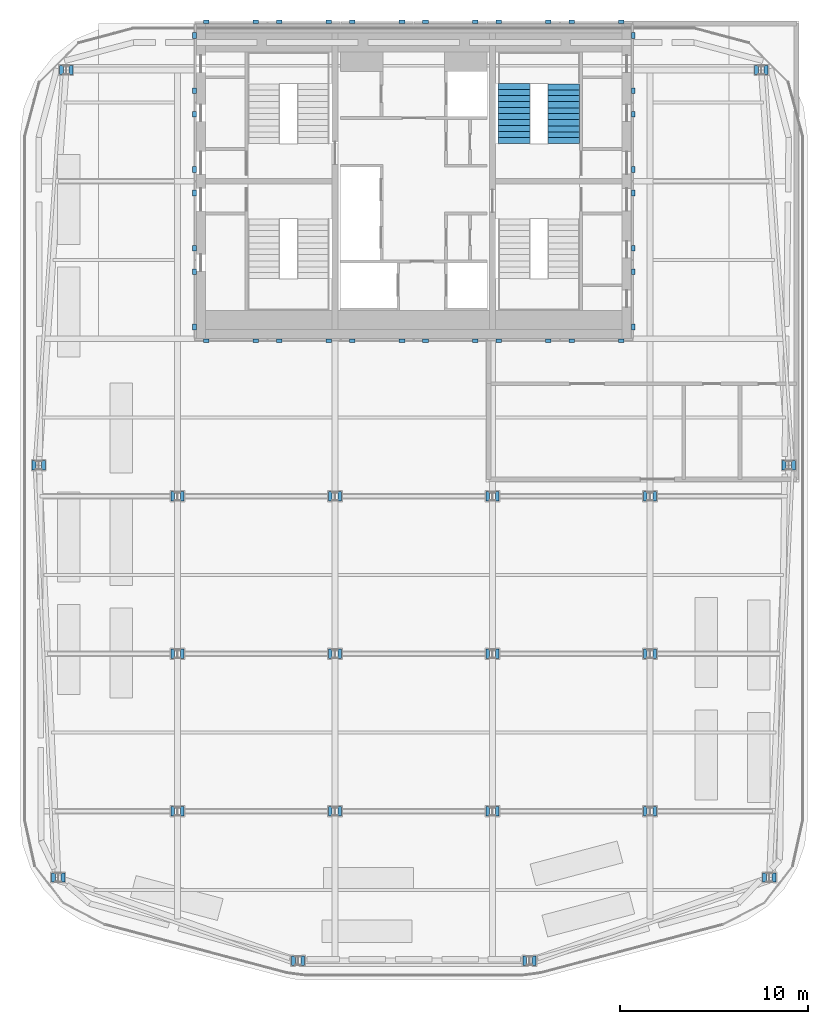
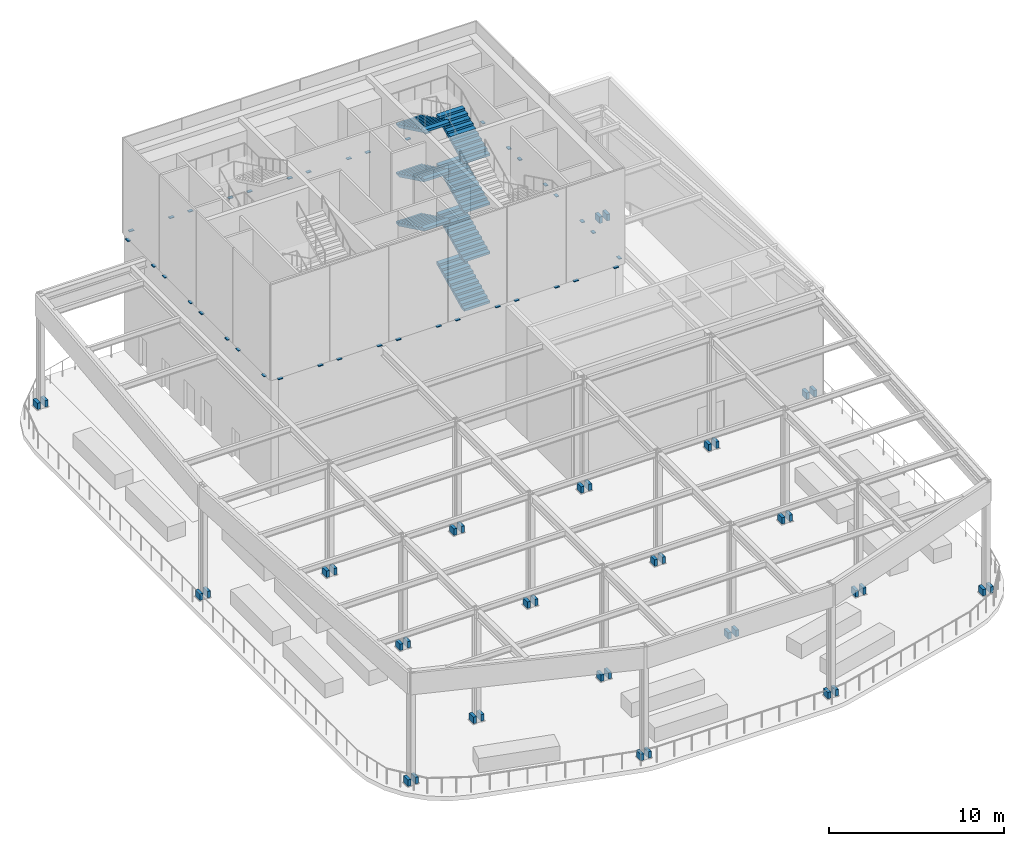
# One storey, part 9 of 14: 80 discrete accessories, 7 stair flights, 1 element without a shape of its own.
"""IFC4 building model written with IfcOpenShell, lengths in metres."""

import ifcopenshell
import ifcopenshell.guid

model = None  # the IFC model being written
_history = None  # IfcOwnerHistory: only IFC2X3 demands one
_inside = {}  # id of a spatial element -> (the spatial element, [elements in it])
_under = {}  # id of a project, library or spatial element -> (it, [spatial elements below it])
_declared = {}  # id of a project -> (the project, [libraries it declares])
_typed = {}  # id of a type object -> (the type object, [elements of that type])
_made_of = {}  # id of a material, layer set ... -> (it, [elements and type objects made of it])


def new_model(schema):
    """Start an empty IFC model of exactly this schema.

    Asked for "IFC4X3", IfcOpenShell would pick the latest addendum, in which some entities
    have other attributes; the version numbers below select the first issue.
    IFC2X3 requires an IfcOwnerHistory on every rooted entity: one is made here for all.
    """
    global model, _history
    if schema == "IFC4X3":
        model = ifcopenshell.file(schema_version=(4, 3, 0, 0))
    else:
        model = ifcopenshell.file(schema=schema)
    _inside.clear()
    _under.clear()
    _declared.clear()
    _typed.clear()
    _made_of.clear()
    _history = None
    if model.schema == "IFC2X3":
        org = make("IfcOrganization", Name="unknown")
        user = make(
            "IfcPersonAndOrganization",
            ThePerson=make("IfcPerson", FamilyName="unknown"),
            TheOrganization=org,
        )
        app = make(
            "IfcApplication",
            ApplicationDeveloper=org,
            Version="unknown",
            ApplicationFullName="unknown",
            ApplicationIdentifier="unknown",
        )
        _history = make(
            "IfcOwnerHistory",
            OwningUser=user,
            OwningApplication=app,
            ChangeAction="ADDED",
            CreationDate=0,
        )
    return model


def make(cls, **values):
    """One entity of the class cls with the attributes given. An attribute that is None is left unset."""
    return model.create_entity(
        cls, **{name: value for name, value in values.items() if value is not None}
    )


def rooted(cls, **values):
    """An entity with a GlobalId (a new one), such as an element, a storey or a relation."""
    return make(cls, GlobalId=ifcopenshell.guid.new(), OwnerHistory=_history, **values)


def si_unit(unit_type, name, prefix=None):
    """IfcSIUnit, for example si_unit("LENGTHUNIT", "METRE", prefix="MILLI")."""
    return make("IfcSIUnit", UnitType=unit_type, Prefix=prefix, Name=name)


def assignment(units):
    """IfcUnitAssignment: the units of a project."""
    return None if units is None else make("IfcUnitAssignment", Units=units)


def point(xyz):
    """IfcCartesianPoint."""
    return None if xyz is None else make("IfcCartesianPoint", Coordinates=xyz)


def direction(xyz):
    """IfcDirection."""
    return None if xyz is None else make("IfcDirection", DirectionRatios=xyz)


def frame(location, z_axis=None, x_axis=None):
    """IfcAxis2Placement3D, a coordinate frame: its origin and axes. An axis left out is left unset."""
    return make(
        "IfcAxis2Placement3D",
        Location=point(location),
        Axis=direction(z_axis),
        RefDirection=direction(x_axis),
    )


def frame_2d(location, x_axis=None):
    """IfcAxis2Placement2D, a coordinate frame in the plane: its origin and x axis."""
    return make(
        "IfcAxis2Placement2D", Location=point(location), RefDirection=direction(x_axis)
    )


def origin():
    """The frame at (0, 0, 0) with its axes left unset."""
    return frame((0.0, 0.0, 0.0))


def origin_2d():
    """The frame at (0, 0) in the plane with its x axis left unset."""
    return frame_2d((0.0, 0.0))


def place(relative_to, where):
    """IfcLocalPlacement: puts the frame where relative to a parent placement (None: the world)."""
    return make(
        "IfcLocalPlacement", PlacementRelTo=relative_to, RelativePlacement=where
    )


def context(
    kind, dimensions, precision=None, world=None, true_north=None, identifier=None
):
    """IfcGeometricRepresentationContext, for example the 3D "Model" context."""
    return make(
        "IfcGeometricRepresentationContext",
        ContextIdentifier=identifier,
        ContextType=kind,
        CoordinateSpaceDimension=dimensions,
        Precision=precision,
        WorldCoordinateSystem=world,
        TrueNorth=true_north,
    )


def subcontext(parent, identifier, kind, view, scale=None):
    """IfcGeometricRepresentationSubContext, for example "Body" below "Model"."""
    return make(
        "IfcGeometricRepresentationSubContext",
        ContextIdentifier=identifier,
        ContextType=kind,
        ParentContext=parent,
        TargetScale=scale,
        TargetView=view,
    )


def project(units=None, contexts=None):
    """IfcProject with its units and contexts."""
    return rooted(
        "IfcProject",
        Name="project",
        RepresentationContexts=contexts,
        UnitsInContext=assignment(units),
    )


def spatial(cls, under=None, at=None, **own):
    """A site, building, storey or space (cls), placed at a placement, below another one or the project."""
    s = rooted(cls, ObjectPlacement=at, **own)
    if under is not None:
        _under.setdefault(under.id(), (under, []))[1].append(s)
    return s


def polyline(points):
    """IfcPolyline through the points."""
    return make("IfcPolyline", Points=[point(p) for p in points])


def profile(cls, at=None, kind="AREA", **sizes):
    """A parametric profile (cls). Its sizes go by their IFC names, for example OverallWidth=200.0."""
    return make(cls, ProfileType=kind, Position=at, **sizes)


def rectangle(**sizes):
    """IfcRectangleProfileDef."""
    return profile("IfcRectangleProfileDef", **sizes)


def outline(outer, holes=None, kind="AREA"):
    """IfcArbitraryClosedProfileDef: a profile drawn as a closed curve; with holes, ...WithVoids."""
    if holes is None:
        return make("IfcArbitraryClosedProfileDef", ProfileType=kind, OuterCurve=outer)
    return make(
        "IfcArbitraryProfileDefWithVoids",
        ProfileType=kind,
        OuterCurve=outer,
        InnerCurves=holes,
    )


def extrude(swept, where, along, depth):
    """IfcExtrudedAreaSolid: the profile swept, set in the frame where, extruded along a direction by depth."""
    return make(
        "IfcExtrudedAreaSolid",
        SweptArea=swept,
        Position=where,
        ExtrudedDirection=direction(along),
        Depth=depth,
    )


def shape(context_of_items, identifier, shape_type, items):
    """IfcShapeRepresentation: the items that make up one representation, for example the "Body"."""
    return make(
        "IfcShapeRepresentation",
        ContextOfItems=context_of_items,
        RepresentationIdentifier=identifier,
        RepresentationType=shape_type,
        Items=items,
    )


def material(Name=None, Category=None):
    """IfcMaterial."""
    return make("IfcMaterial", Name=Name, Category=Category)


def layer(
    of_material, thickness, ventilated=None, Name=None, Category=None, Priority=None
):
    """IfcMaterialLayer: one layer of a wall or slab, of a material (None: an air gap)."""
    return make(
        "IfcMaterialLayer",
        Material=of_material,
        LayerThickness=thickness,
        IsVentilated=ventilated,
        Name=Name,
        Category=Category,
        Priority=Priority,
    )


def layer_set(layers, Name=None):
    """IfcMaterialLayerSet."""
    return make("IfcMaterialLayerSet", MaterialLayers=layers, LayerSetName=Name)


def made_of(thing, what):
    """Note that an element or type object is made of a material, layer set ...; save() writes the relation."""
    if what is not None:
        _made_of.setdefault(what.id(), (what, []))[1].append(thing)
    return thing


def type_object(cls, material=None, **own):
    """A type object (cls), such as IfcWallType, which elements share."""
    return made_of(rooted(cls, **own), material)


def element(
    cls,
    number,
    at=None,
    inside=None,
    cuts=None,
    type_object=None,
    material=None,
    context=None,
    identifier="Body",
    shape_type=None,
    held_by="IfcProductDefinitionShape",
    body=None,
    shapes=None,
    **own,
):
    """One element of the class cls, such as IfcWall. Its Tag is "e" and its number.

    at: its placement. inside: the storey or other place that contains it. cuts: it is an
    opening in that element (IfcRelVoidsElement). A single representation is given by context,
    identifier, shape_type and body (its items); several are given by shapes. held_by: the class
    of the entity that holds the representations. save() writes the other relations.
    """
    e = rooted(cls, Tag="e%d" % number, ObjectPlacement=at, **own)
    if body is not None:
        shapes = [shape(context, identifier, shape_type, body)]
    if shapes is not None:
        e.Representation = make(held_by, Representations=shapes)
    if inside is not None:
        _inside.setdefault(inside.id(), (inside, []))[1].append(e)
    if cuts is not None:
        rooted(
            "IfcRelVoidsElement", RelatingBuildingElement=cuts, RelatedOpeningElement=e
        )
    if type_object is not None:
        _typed.setdefault(type_object.id(), (type_object, []))[1].append(e)
    return made_of(e, material)


def aggregate(whole, parts):
    """IfcRelAggregates: a whole, such as a stair, and the parts it consists of."""
    return rooted("IfcRelAggregates", RelatingObject=whole, RelatedObjects=parts)


def save(model, path):
    """Write the relations noted so far, then the file.

    IfcRelAggregates (storeys below a building ...), IfcRelContainedInSpatialStructure (elements
    in a storey), IfcRelDefinesByType, IfcRelAssociatesMaterial and IfcRelDeclares: one each for
    every whole, place, type object, material and project.
    """
    for whole, parts in _under.values():
        aggregate(whole, parts)
    for where, things in _inside.values():
        rooted(
            "IfcRelContainedInSpatialStructure",
            RelatedElements=things,
            RelatingStructure=where,
        )
    for kind, things in _typed.values():
        rooted("IfcRelDefinesByType", RelatedObjects=things, RelatingType=kind)
    for what, things in _made_of.values():
        rooted("IfcRelAssociatesMaterial", RelatedObjects=things, RelatingMaterial=what)
    for by, libraries in _declared.values():
        rooted("IfcRelDeclares", RelatingContext=by, RelatedDefinitions=libraries)
    model.write(path)


model = new_model("IFC4")

# Units and contexts
model_context = context("Model", 3, precision=1e-05, world=origin(), true_north=direction((0.0, 1.0)))
body_context = subcontext(model_context, "Body", "Model", "MODEL_VIEW")
ifc_project = project(units=[si_unit("LENGTHUNIT", "METRE"), si_unit("AREAUNIT", "SQUARE_METRE"), si_unit("VOLUMEUNIT", "CUBIC_METRE"), si_unit("PLANEANGLEUNIT", "RADIAN"), si_unit("MASSUNIT", "GRAM", prefix="KILO")], contexts=[model_context])

# Site, building, storey
site_placement = place(None, origin())
site = spatial("IfcSite", under=ifc_project, at=site_placement, CompositionType="ELEMENT")
building_placement = place(site_placement, origin())
building = spatial("IfcBuilding", under=site, at=building_placement, Name="Marenta Gate Hotel Tower", CompositionType="ELEMENT")
storey_placement = place(building_placement, frame((0.0, 0.0, 295.699951171875)))
storey = spatial("IfcBuildingStorey", under=building, at=storey_placement, Name="L67", CompositionType="ELEMENT", Elevation=295.699951171875)

# Stair, stair flights
ifc_material_1 = material(Name="Concrete C40", Category="concrete")
stair_type = type_object("IfcStairType", Name="Core exit stair 1700 wide", PredefinedType="HALF_TURN_STAIR", material=ifc_material_1)
stair_placement = place(storey_placement, origin())
stair = element("IfcStair", 1, at=stair_placement, inside=storey, type_object=stair_type, Name="Exit stair 4", PredefinedType="HALF_TURN_STAIR")
ifc_material_2 = material(Name="Concrete C40", Category="concrete")
stair_flight_type = type_object("IfcStairFlightType", Name="Core stair flight 1700 riser 155.7 going 320", PredefinedType="STRAIGHT", material=ifc_material_2)
stair_flight_1_placement = place(storey_placement, frame((8.0, 10.39990234375, 0.0), z_axis=(0.0, 0.0, 1.0), x_axis=(0.0, 1.0, 0.0)))
stair_flight_1 = element("IfcStairFlight", 2, at=stair_flight_1_placement, type_object=stair_flight_type, Name="ST4 flight 1", NumberOfRisers=11, NumberOfTreads=10, PredefinedType="STRAIGHT", RiserHeight=0.155682, TreadLength=0.32, context=body_context, shape_type="SweptSolid", body=[
    extrude(outline(polyline([(0.0, 0.0), (0.0, 0.15576171875), (0.320068359375, 0.15576171875), (0.320068359375, 0.311279296875), (0.639892578125, 0.311279296875), (0.639892578125, 0.467041015625), (0.9599609375, 0.467041015625), (0.9599609375, 0.622802734375), (1.280029296875, 0.622802734375), (1.280029296875, 0.7783203125), (1.60009765625, 0.7783203125), (1.60009765625, 0.93408203125), (1.919921875, 0.93408203125), (1.919921875, 1.08984375), (2.239990234375, 1.08984375), (2.239990234375, 1.245361328125), (2.56005859375, 1.245361328125), (2.56005859375, 1.401123046875), (2.8798828125, 1.401123046875), (2.8798828125, 1.556884765625), (3.199951171875, 1.556884765625), (3.199951171875, 1.71240234375), (3.199951171875, 1.39013671875), (0.342529296875, 0.0), (0.0, 0.0)])), frame((0.0, 0.85009765625, 0.0), z_axis=(0.0, -1.0, 0.0), x_axis=(1.0, 0.0, 0.0)), (0.0, 0.0, 1.0), 1.699951171875),
])
stair_flight_2_placement = place(storey_placement, frame((8.0, 10.39990234375, 3.425048828125), z_axis=(0.0, 0.0, 1.0), x_axis=(0.0, 1.0, 0.0)))
stair_flight_2 = element("IfcStairFlight", 3, at=stair_flight_2_placement, type_object=stair_flight_type, Name="ST4 flight 3", NumberOfRisers=11, NumberOfTreads=10, PredefinedType="STRAIGHT", RiserHeight=0.155682, TreadLength=0.32, context=body_context, shape_type="SweptSolid", body=[
    extrude(outline(polyline([(0.0, 0.0), (0.0, 0.15576171875), (0.320068359375, 0.15576171875), (0.320068359375, 0.311279296875), (0.639892578125, 0.311279296875), (0.639892578125, 0.467041015625), (0.9599609375, 0.467041015625), (0.9599609375, 0.622802734375), (1.280029296875, 0.622802734375), (1.280029296875, 0.7783203125), (1.60009765625, 0.7783203125), (1.60009765625, 0.93408203125), (1.919921875, 0.93408203125), (1.919921875, 1.08984375), (2.239990234375, 1.08984375), (2.239990234375, 1.245361328125), (2.56005859375, 1.245361328125), (2.56005859375, 1.401123046875), (2.8798828125, 1.401123046875), (2.8798828125, 1.556884765625), (3.199951171875, 1.556884765625), (3.199951171875, 1.71240234375), (3.199951171875, 1.39013671875), (0.342529296875, 0.0), (0.0, 0.0)])), frame((0.0, 0.85009765625, 0.0), z_axis=(0.0, -1.0, 0.0), x_axis=(1.0, 0.0, 0.0)), (0.0, 0.0, 1.0), 1.699951171875),
])
stair_flight_3_placement = place(storey_placement, frame((5.35009765625, 13.60009765625, 5.137451171875), z_axis=(0.0, 0.0, 1.0), x_axis=(0.0, -1.0, 0.0)))
stair_flight_3 = element("IfcStairFlight", 4, at=stair_flight_3_placement, type_object=stair_flight_type, Name="ST4 flight 4", NumberOfRisers=11, NumberOfTreads=10, PredefinedType="STRAIGHT", RiserHeight=0.155682, TreadLength=0.32, context=body_context, shape_type="SweptSolid", body=[
    extrude(outline(polyline([(0.0, 0.0), (0.0, 0.15576171875), (0.320068359375, 0.15576171875), (0.320068359375, 0.311279296875), (0.639892578125, 0.311279296875), (0.639892578125, 0.467041015625), (0.9599609375, 0.467041015625), (0.9599609375, 0.622802734375), (1.280029296875, 0.622802734375), (1.280029296875, 0.7783203125), (1.60009765625, 0.7783203125), (1.60009765625, 0.93408203125), (1.919921875, 0.93408203125), (1.919921875, 1.08984375), (2.239990234375, 1.08984375), (2.239990234375, 1.245361328125), (2.56005859375, 1.245361328125), (2.56005859375, 1.401123046875), (2.8798828125, 1.401123046875), (2.8798828125, 1.556884765625), (3.199951171875, 1.556884765625), (3.199951171875, 1.71240234375), (3.199951171875, 1.39013671875), (0.342529296875, 0.0), (0.0, 0.0)])), frame((0.0, 0.85009765625, 0.0), z_axis=(0.0, -1.0, 0.0), x_axis=(1.0, 0.0, 0.0)), (0.0, 0.0, 1.0), 1.699951171875),
])
stair_flight_4_placement = place(storey_placement, frame((8.0, 10.39990234375, 6.85009765625), z_axis=(0.0, 0.0, 1.0), x_axis=(0.0, 1.0, 0.0)))
stair_flight_4 = element("IfcStairFlight", 5, at=stair_flight_4_placement, type_object=stair_flight_type, Name="ST4 flight 5", NumberOfRisers=11, NumberOfTreads=10, PredefinedType="STRAIGHT", RiserHeight=0.155682, TreadLength=0.32, context=body_context, shape_type="SweptSolid", body=[
    extrude(outline(polyline([(0.0, 0.0), (0.0, 0.15576171875), (0.320068359375, 0.15576171875), (0.320068359375, 0.311279296875), (0.639892578125, 0.311279296875), (0.639892578125, 0.467041015625), (0.9599609375, 0.467041015625), (0.9599609375, 0.622802734375), (1.280029296875, 0.622802734375), (1.280029296875, 0.7783203125), (1.60009765625, 0.7783203125), (1.60009765625, 0.93408203125), (1.919921875, 0.93408203125), (1.919921875, 1.08984375), (2.239990234375, 1.08984375), (2.239990234375, 1.245361328125), (2.56005859375, 1.245361328125), (2.56005859375, 1.401123046875), (2.8798828125, 1.401123046875), (2.8798828125, 1.556884765625), (3.199951171875, 1.556884765625), (3.199951171875, 1.71240234375), (3.199951171875, 1.39013671875), (0.342529296875, 0.0), (0.0, 0.0)])), frame((0.0, 0.85009765625, 0.0), z_axis=(0.0, -1.0, 0.0), x_axis=(1.0, 0.0, 0.0)), (0.0, 0.0, 1.0), 1.699951171875),
])
stair_flight_5_placement = place(storey_placement, frame((5.35009765625, 13.60009765625, 8.5625), z_axis=(0.0, 0.0, 1.0), x_axis=(0.0, -1.0, 0.0)))
stair_flight_5 = element("IfcStairFlight", 6, at=stair_flight_5_placement, type_object=stair_flight_type, Name="ST4 flight 6", NumberOfRisers=11, NumberOfTreads=10, PredefinedType="STRAIGHT", RiserHeight=0.155682, TreadLength=0.32, context=body_context, shape_type="SweptSolid", body=[
    extrude(outline(polyline([(0.0, 0.0), (0.0, 0.15576171875), (0.320068359375, 0.15576171875), (0.320068359375, 0.311279296875), (0.639892578125, 0.311279296875), (0.639892578125, 0.467041015625), (0.9599609375, 0.467041015625), (0.9599609375, 0.622802734375), (1.280029296875, 0.622802734375), (1.280029296875, 0.7783203125), (1.60009765625, 0.7783203125), (1.60009765625, 0.93408203125), (1.919921875, 0.93408203125), (1.919921875, 1.08984375), (2.239990234375, 1.08984375), (2.239990234375, 1.245361328125), (2.56005859375, 1.245361328125), (2.56005859375, 1.401123046875), (2.8798828125, 1.401123046875), (2.8798828125, 1.556884765625), (3.199951171875, 1.556884765625), (3.199951171875, 1.71240234375), (3.199951171875, 1.39013671875), (0.342529296875, 0.0), (0.0, 0.0)])), frame((0.0, 0.85009765625, 0.0), z_axis=(0.0, -1.0, 0.0), x_axis=(1.0, 0.0, 0.0)), (0.0, 0.0, 1.0), 1.699951171875),
])
stair_flight_6_placement = place(storey_placement, frame((8.0, 10.39990234375, 10.275146484375), z_axis=(0.0, 0.0, 1.0), x_axis=(0.0, 1.0, 0.0)))
stair_flight_6 = element("IfcStairFlight", 7, at=stair_flight_6_placement, type_object=stair_flight_type, Name="ST4 flight 7", NumberOfRisers=11, NumberOfTreads=10, PredefinedType="STRAIGHT", RiserHeight=0.155682, TreadLength=0.32, context=body_context, shape_type="SweptSolid", body=[
    extrude(outline(polyline([(0.0, 0.0), (0.0, 0.15576171875), (0.320068359375, 0.15576171875), (0.320068359375, 0.311279296875), (0.639892578125, 0.311279296875), (0.639892578125, 0.467041015625), (0.9599609375, 0.467041015625), (0.9599609375, 0.622802734375), (1.280029296875, 0.622802734375), (1.280029296875, 0.7783203125), (1.60009765625, 0.7783203125), (1.60009765625, 0.93408203125), (1.919921875, 0.93408203125), (1.919921875, 1.08984375), (2.239990234375, 1.08984375), (2.239990234375, 1.245361328125), (2.56005859375, 1.245361328125), (2.56005859375, 1.401123046875), (2.8798828125, 1.401123046875), (2.8798828125, 1.556884765625), (3.199951171875, 1.556884765625), (3.199951171875, 1.71240234375), (3.199951171875, 1.39013671875), (0.342529296875, 0.0), (0.0, 0.0)])), frame((0.0, 0.85009765625, 0.0), z_axis=(0.0, -1.0, 0.0), x_axis=(1.0, 0.0, 0.0)), (0.0, 0.0, 1.0), 1.699951171875),
])
stair_flight_7_placement = place(storey_placement, frame((5.35009765625, 13.60009765625, 11.987548828125), z_axis=(0.0, 0.0, 1.0), x_axis=(0.0, -1.0, 0.0)))
stair_flight_7 = element("IfcStairFlight", 8, at=stair_flight_7_placement, type_object=stair_flight_type, Name="ST4 flight 8", NumberOfRisers=11, NumberOfTreads=10, PredefinedType="STRAIGHT", RiserHeight=0.155682, TreadLength=0.32, context=body_context, shape_type="SweptSolid", body=[
    extrude(outline(polyline([(0.0, 0.0), (0.0, 0.15576171875), (0.320068359375, 0.15576171875), (0.320068359375, 0.311279296875), (0.639892578125, 0.311279296875), (0.639892578125, 0.467041015625), (0.9599609375, 0.467041015625), (0.9599609375, 0.622802734375), (1.280029296875, 0.622802734375), (1.280029296875, 0.7783203125), (1.60009765625, 0.7783203125), (1.60009765625, 0.93408203125), (1.919921875, 0.93408203125), (1.919921875, 1.08984375), (2.239990234375, 1.08984375), (2.239990234375, 1.245361328125), (2.56005859375, 1.245361328125), (2.56005859375, 1.401123046875), (2.8798828125, 1.401123046875), (2.8798828125, 1.556884765625), (3.199951171875, 1.556884765625), (3.199951171875, 1.71240234375), (3.199951171875, 1.39013671875), (0.342529296875, 0.0), (0.0, 0.0)])), frame((0.0, 0.85009765625, 0.0), z_axis=(0.0, -1.0, 0.0), x_axis=(1.0, 0.0, 0.0)), (0.0, 0.0, 1.0), 1.699951171875),
])
aggregate(stair, [stair_flight_1, stair_flight_2, stair_flight_3, stair_flight_4, stair_flight_5, stair_flight_6, stair_flight_7])

# Discrete accessories
ifc_material_3 = material(Name="Steel S355J2W", Category="steel")
ifc_layer_1 = layer(ifc_material_3, 0.02001953125)
ifc_layer_set_1 = layer_set([ifc_layer_1], Name="Steel S355J2W")
discrete_accessory_type_1 = type_object("IfcDiscreteAccessoryType", Name="Column base gusset bracket 20 mm", PredefinedType="BRACKET", material=ifc_layer_set_1)
for number, where, z_axis, x_axis, name in (
    (9, (-6.416259765625, -33.1748046875, 0.02490234375), (0.0, 0.0, 1.0), (1.0, 0.0, 0.0), "GB1 Column base gusset bracket"),
    (10, (-5.916259765625, -33.1748046875, 0.02490234375), (0.0, 0.0, 1.0), (1.0, 0.0, 0.0), "GB1 Column base gusset bracket"),
    (11, (5.916259765625, -33.1748046875, 0.02490234375), (0.0, 0.0, 1.0), (1.0, 0.0, 0.0), "GB1 Column base gusset bracket"),
    (12, (6.416259765625, -33.1748046875, 0.02490234375), (0.0, 0.0, 1.0), (1.0, 0.0, 0.0), "GB1 Column base gusset bracket"),
    (13, (18.712890625, -28.73291015625, 0.02490234375), (0.0, 0.0, 1.0), (1.0, 0.0, 0.0), "GB1 Column base gusset bracket"),
    (14, (19.212890625, -28.73291015625, 0.02490234375), (0.0, 0.0, 1.0), (1.0, 0.0, 0.0), "GB1 Column base gusset bracket"),
    (15, (19.75, -6.75, 0.02490234375), (0.0, 0.0, 1.0), (1.0, 0.0, 0.0), "GB1 Column base gusset bracket"),
    (16, (20.25, -6.75, 0.02490234375), (0.0, 0.0, 1.0), (1.0, 0.0, 0.0), "GB1 Column base gusset bracket"),
    (17, (18.285400390625, 14.33544921875, 0.02490234375), (0.0, 0.0, 1.0), (1.0, 0.0, 0.0), "GB1 Column base gusset bracket"),
    (18, (18.785400390625, 14.33544921875, 0.02490234375), (0.0, 0.0, 1.0), (1.0, 0.0, 0.0), "GB1 Column base gusset bracket"),
    (19, (-18.785400390625, 14.33544921875, 0.02490234375), (0.0, 0.0, 1.0), (1.0, 0.0, 0.0), "GB1 Column base gusset bracket"),
    (20, (-18.285400390625, 14.33544921875, 0.02490234375), (0.0, 0.0, 1.0), (1.0, 0.0, 0.0), "GB1 Column base gusset bracket"),
    (21, (-20.25, -6.75, 0.02490234375), (0.0, 0.0, 1.0), (1.0, 0.0, 0.0), "GB1 Column base gusset bracket"),
    (22, (-19.75, -6.75, 0.02490234375), (0.0, 0.0, 1.0), (1.0, 0.0, 0.0), "GB1 Column base gusset bracket"),
    (23, (-19.212890625, -28.73291015625, 0.02490234375), (0.0, 0.0, 1.0), (1.0, 0.0, 0.0), "GB1 Column base gusset bracket"),
    (24, (-18.712890625, -28.73291015625, 0.02490234375), (0.0, 0.0, 1.0), (1.0, 0.0, 0.0), "GB1 Column base gusset bracket"),
    (25, (-12.85009765625, -25.199951171875, 0.02490234375), (0.0, 0.0, 1.0), (1.0, 0.0, 0.0), "GB1 Column base gusset bracket"),
    (26, (-12.35009765625, -25.199951171875, 0.02490234375), (0.0, 0.0, 1.0), (1.0, 0.0, 0.0), "GB1 Column base gusset bracket"),
    (27, (-12.85009765625, -16.800048828125, 0.02490234375), (0.0, 0.0, 1.0), (1.0, 0.0, 0.0), "GB1 Column base gusset bracket"),
    (28, (-12.35009765625, -16.800048828125, 0.02490234375), (0.0, 0.0, 1.0), (1.0, 0.0, 0.0), "GB1 Column base gusset bracket"),
    (29, (-12.85009765625, -8.39990234375, 0.02490234375), (0.0, 0.0, 1.0), (1.0, 0.0, 0.0), "GB1 Column base gusset bracket"),
    (30, (-12.35009765625, -8.39990234375, 0.02490234375), (0.0, 0.0, 1.0), (1.0, 0.0, 0.0), "GB1 Column base gusset bracket"),
    (31, (-4.449951171875, -25.199951171875, 0.02490234375), (0.0, 0.0, 1.0), (1.0, 0.0, 0.0), "GB1 Column base gusset bracket"),
    (32, (-3.949951171875, -25.199951171875, 0.02490234375), (0.0, 0.0, 1.0), (1.0, 0.0, 0.0), "GB1 Column base gusset bracket"),
    (33, (-4.449951171875, -16.800048828125, 0.02490234375), (0.0, 0.0, 1.0), (1.0, 0.0, 0.0), "GB1 Column base gusset bracket"),
    (34, (-3.949951171875, -16.800048828125, 0.02490234375), (0.0, 0.0, 1.0), (1.0, 0.0, 0.0), "GB1 Column base gusset bracket"),
    (35, (-4.449951171875, -8.39990234375, 0.02490234375), (0.0, 0.0, 1.0), (1.0, 0.0, 0.0), "GB1 Column base gusset bracket"),
    (36, (-3.949951171875, -8.39990234375, 0.02490234375), (0.0, 0.0, 1.0), (1.0, 0.0, 0.0), "GB1 Column base gusset bracket"),
    (37, (3.949951171875, -25.199951171875, 0.02490234375), (0.0, 0.0, 1.0), (1.0, 0.0, 0.0), "GB1 Column base gusset bracket"),
    (38, (4.449951171875, -25.199951171875, 0.02490234375), (0.0, 0.0, 1.0), (1.0, 0.0, 0.0), "GB1 Column base gusset bracket"),
    (39, (3.949951171875, -16.800048828125, 0.02490234375), (0.0, 0.0, 1.0), (1.0, 0.0, 0.0), "GB1 Column base gusset bracket"),
    (40, (4.449951171875, -16.800048828125, 0.02490234375), (0.0, 0.0, 1.0), (1.0, 0.0, 0.0), "GB1 Column base gusset bracket"),
    (41, (3.949951171875, -8.39990234375, 0.02490234375), (0.0, 0.0, 1.0), (1.0, 0.0, 0.0), "GB1 Column base gusset bracket"),
    (42, (4.449951171875, -8.39990234375, 0.02490234375), (0.0, 0.0, 1.0), (1.0, 0.0, 0.0), "GB1 Column base gusset bracket"),
    (43, (12.35009765625, -25.199951171875, 0.02490234375), (0.0, 0.0, 1.0), (1.0, 0.0, 0.0), "GB1 Column base gusset bracket"),
    (44, (12.85009765625, -25.199951171875, 0.02490234375), (0.0, 0.0, 1.0), (1.0, 0.0, 0.0), "GB1 Column base gusset bracket"),
    (45, (12.35009765625, -16.800048828125, 0.02490234375), (0.0, 0.0, 1.0), (1.0, 0.0, 0.0), "GB1 Column base gusset bracket"),
    (46, (12.85009765625, -16.800048828125, 0.02490234375), (0.0, 0.0, 1.0), (1.0, 0.0, 0.0), "GB1 Column base gusset bracket"),
    (47, (12.35009765625, -8.39990234375, 0.02490234375), (0.0, 0.0, 1.0), (1.0, 0.0, 0.0), "GB1 Column base gusset bracket"),
    (48, (12.85009765625, -8.39990234375, 0.02490234375), (0.0, 0.0, 1.0), (1.0, 0.0, 0.0), "GB1 Column base gusset bracket"),
):
    element("IfcDiscreteAccessory", number, at=place(storey_placement, frame(where, z_axis=z_axis, x_axis=x_axis)), inside=storey, type_object=discrete_accessory_type_1, Name=name, PredefinedType="BRACKET", context=body_context, shape_type="SweptSolid", body=[
        extrude(rectangle(XDim=0.199951171875, YDim=0.5, at=origin_2d()), origin(), (0.0, 0.0, 1.0), 0.449951171875),
    ])
ifc_material_4 = material(Name="Stainless steel 316 fixing", Category="steel")
ifc_layer_2 = layer(ifc_material_4, 0.050048828125)
ifc_layer_set_2 = layer_set([ifc_layer_2], Name="Stainless steel 316 fixing")
discrete_accessory_type_2 = type_object("IfcDiscreteAccessoryType", Name="Louvre panel seat bracket 50 mm", PredefinedType="BRACKET", material=ifc_layer_set_2)
for number, where, z_axis, x_axis, name in (
    (49, (11.699951171875, 0.625, 8.06982421875), (0.0, 0.0, 1.0), (1.0, 0.0, 0.0), "Louvre panel seat bracket"),
    (50, (11.699951171875, 3.574951171875, 8.06982421875), (0.0, 0.0, 1.0), (1.0, 0.0, 0.0), "Louvre panel seat bracket"),
    (51, (11.699951171875, 4.824951171875, 8.06982421875), (0.0, 0.0, 1.0), (1.0, 0.0, 0.0), "Louvre panel seat bracket"),
    (52, (11.699951171875, 7.77490234375, 8.06982421875), (0.0, 0.0, 1.0), (1.0, 0.0, 0.0), "Louvre panel seat bracket"),
    (53, (11.699951171875, 9.02490234375, 8.06982421875), (0.0, 0.0, 1.0), (1.0, 0.0, 0.0), "Louvre panel seat bracket"),
    (54, (11.699951171875, 11.97509765625, 8.06982421875), (0.0, 0.0, 1.0), (1.0, 0.0, 0.0), "Louvre panel seat bracket"),
    (55, (11.699951171875, 13.22509765625, 8.06982421875), (0.0, 0.0, 1.0), (1.0, 0.0, 0.0), "Louvre panel seat bracket"),
    (56, (11.699951171875, 16.175048828125, 8.06982421875), (0.0, 0.0, 1.0), (1.0, 0.0, 0.0), "Louvre panel seat bracket"),
    (57, (-11.699951171875, 0.625, 8.06982421875), (0.0, 0.0, 1.0), (1.0, 0.0, 0.0), "Louvre panel seat bracket"),
    (58, (-11.699951171875, 3.574951171875, 8.06982421875), (0.0, 0.0, 1.0), (1.0, 0.0, 0.0), "Louvre panel seat bracket"),
    (59, (-11.699951171875, 4.824951171875, 8.06982421875), (0.0, 0.0, 1.0), (1.0, 0.0, 0.0), "Louvre panel seat bracket"),
    (60, (-11.699951171875, 7.77490234375, 8.06982421875), (0.0, 0.0, 1.0), (1.0, 0.0, 0.0), "Louvre panel seat bracket"),
    (61, (-11.699951171875, 9.02490234375, 8.06982421875), (0.0, 0.0, 1.0), (1.0, 0.0, 0.0), "Louvre panel seat bracket"),
    (62, (-11.699951171875, 11.97509765625, 8.06982421875), (0.0, 0.0, 1.0), (1.0, 0.0, 0.0), "Louvre panel seat bracket"),
    (63, (-11.699951171875, 13.22509765625, 8.06982421875), (0.0, 0.0, 1.0), (1.0, 0.0, 0.0), "Louvre panel seat bracket"),
    (64, (-11.699951171875, 16.175048828125, 8.06982421875), (0.0, 0.0, 1.0), (1.0, 0.0, 0.0), "Louvre panel seat bracket"),
):
    element("IfcDiscreteAccessory", number, at=place(storey_placement, frame(where, z_axis=z_axis, x_axis=x_axis)), inside=storey, type_object=discrete_accessory_type_2, Name=name, PredefinedType="BRACKET", context=body_context, shape_type="SweptSolid", body=[
        extrude(rectangle(XDim=0.199951171875, YDim=0.300048828125, at=origin_2d()), origin(), (0.0, 0.0, 1.0), 0.050048828125),
    ])
for number, where, z_axis, x_axis, name in (
    (65, (-11.074951171875, -0.10009765625, 8.06982421875), (0.0, 0.0, 1.0), (1.0, 0.0, 0.0), "Louvre panel seat bracket"),
    (66, (-8.425048828125, -0.10009765625, 8.06982421875), (0.0, 0.0, 1.0), (1.0, 0.0, 0.0), "Louvre panel seat bracket"),
    (67, (-7.175048828125, -0.10009765625, 8.06982421875), (0.0, 0.0, 1.0), (1.0, 0.0, 0.0), "Louvre panel seat bracket"),
    (68, (-4.52490234375, -0.10009765625, 8.06982421875), (0.0, 0.0, 1.0), (1.0, 0.0, 0.0), "Louvre panel seat bracket"),
    (69, (-3.27490234375, -0.10009765625, 8.06982421875), (0.0, 0.0, 1.0), (1.0, 0.0, 0.0), "Louvre panel seat bracket"),
    (70, (-0.625, -0.10009765625, 8.06982421875), (0.0, 0.0, 1.0), (1.0, 0.0, 0.0), "Louvre panel seat bracket"),
    (71, (0.625, -0.10009765625, 8.06982421875), (0.0, 0.0, 1.0), (1.0, 0.0, 0.0), "Louvre panel seat bracket"),
    (72, (3.27490234375, -0.10009765625, 8.06982421875), (0.0, 0.0, 1.0), (1.0, 0.0, 0.0), "Louvre panel seat bracket"),
    (73, (4.52490234375, -0.10009765625, 8.06982421875), (0.0, 0.0, 1.0), (1.0, 0.0, 0.0), "Louvre panel seat bracket"),
    (74, (7.175048828125, -0.10009765625, 8.06982421875), (0.0, 0.0, 1.0), (1.0, 0.0, 0.0), "Louvre panel seat bracket"),
    (75, (8.425048828125, -0.10009765625, 8.06982421875), (0.0, 0.0, 1.0), (1.0, 0.0, 0.0), "Louvre panel seat bracket"),
    (76, (11.074951171875, -0.10009765625, 8.06982421875), (0.0, 0.0, 1.0), (1.0, 0.0, 0.0), "Louvre panel seat bracket"),
    (77, (-11.074951171875, 16.89990234375, 8.06982421875), (0.0, 0.0, 1.0), (1.0, 0.0, 0.0), "Louvre panel seat bracket"),
    (78, (-8.425048828125, 16.89990234375, 8.06982421875), (0.0, 0.0, 1.0), (1.0, 0.0, 0.0), "Louvre panel seat bracket"),
    (79, (-7.175048828125, 16.89990234375, 8.06982421875), (0.0, 0.0, 1.0), (1.0, 0.0, 0.0), "Louvre panel seat bracket"),
    (80, (-4.52490234375, 16.89990234375, 8.06982421875), (0.0, 0.0, 1.0), (1.0, 0.0, 0.0), "Louvre panel seat bracket"),
    (81, (-3.27490234375, 16.89990234375, 8.06982421875), (0.0, 0.0, 1.0), (1.0, 0.0, 0.0), "Louvre panel seat bracket"),
    (82, (-0.625, 16.89990234375, 8.06982421875), (0.0, 0.0, 1.0), (1.0, 0.0, 0.0), "Louvre panel seat bracket"),
    (83, (0.625, 16.89990234375, 8.06982421875), (0.0, 0.0, 1.0), (1.0, 0.0, 0.0), "Louvre panel seat bracket"),
    (84, (3.27490234375, 16.89990234375, 8.06982421875), (0.0, 0.0, 1.0), (1.0, 0.0, 0.0), "Louvre panel seat bracket"),
    (85, (4.52490234375, 16.89990234375, 8.06982421875), (0.0, 0.0, 1.0), (1.0, 0.0, 0.0), "Louvre panel seat bracket"),
    (86, (7.175048828125, 16.89990234375, 8.06982421875), (0.0, 0.0, 1.0), (1.0, 0.0, 0.0), "Louvre panel seat bracket"),
    (87, (8.425048828125, 16.89990234375, 8.06982421875), (0.0, 0.0, 1.0), (1.0, 0.0, 0.0), "Louvre panel seat bracket"),
    (88, (11.074951171875, 16.89990234375, 8.06982421875), (0.0, 0.0, 1.0), (1.0, 0.0, 0.0), "Louvre panel seat bracket"),
):
    element("IfcDiscreteAccessory", number, at=place(storey_placement, frame(where, z_axis=z_axis, x_axis=x_axis)), inside=storey, type_object=discrete_accessory_type_2, Name=name, PredefinedType="BRACKET", context=body_context, shape_type="SweptSolid", body=[
        extrude(rectangle(XDim=0.300048828125, YDim=0.199951171875, at=origin_2d()), origin(), (0.0, 0.0, 1.0), 0.050048828125),
    ])

save(model, "model.ifc")
